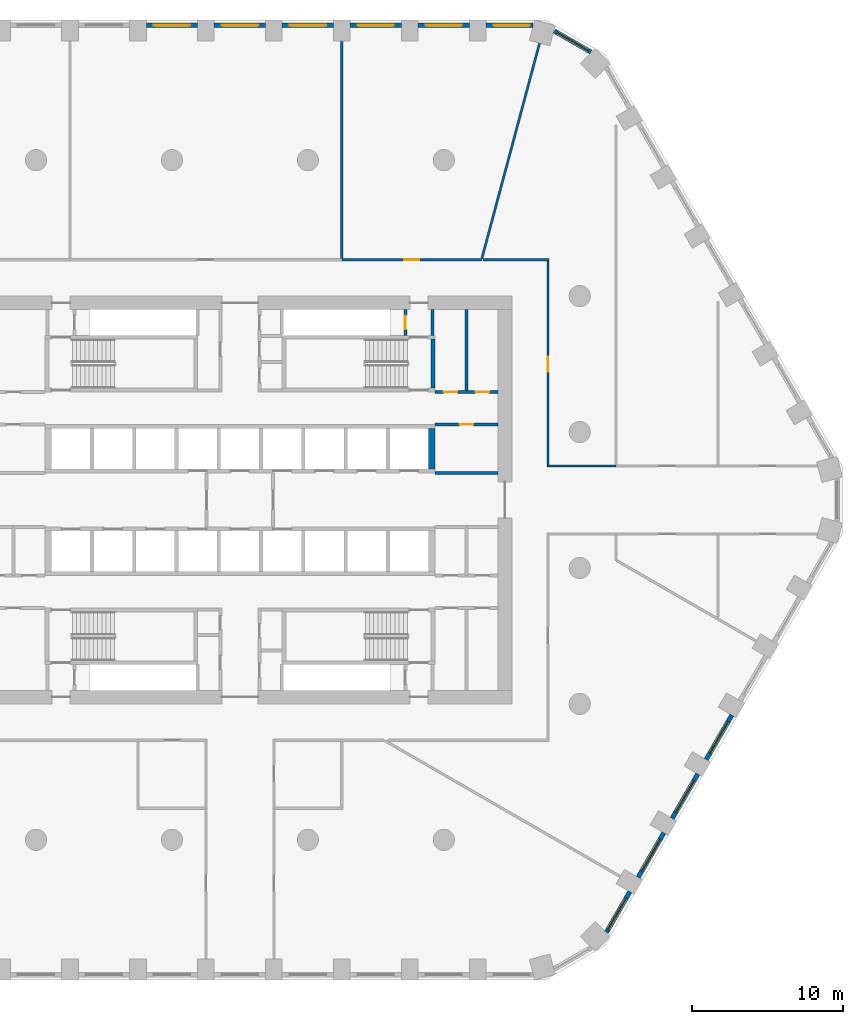
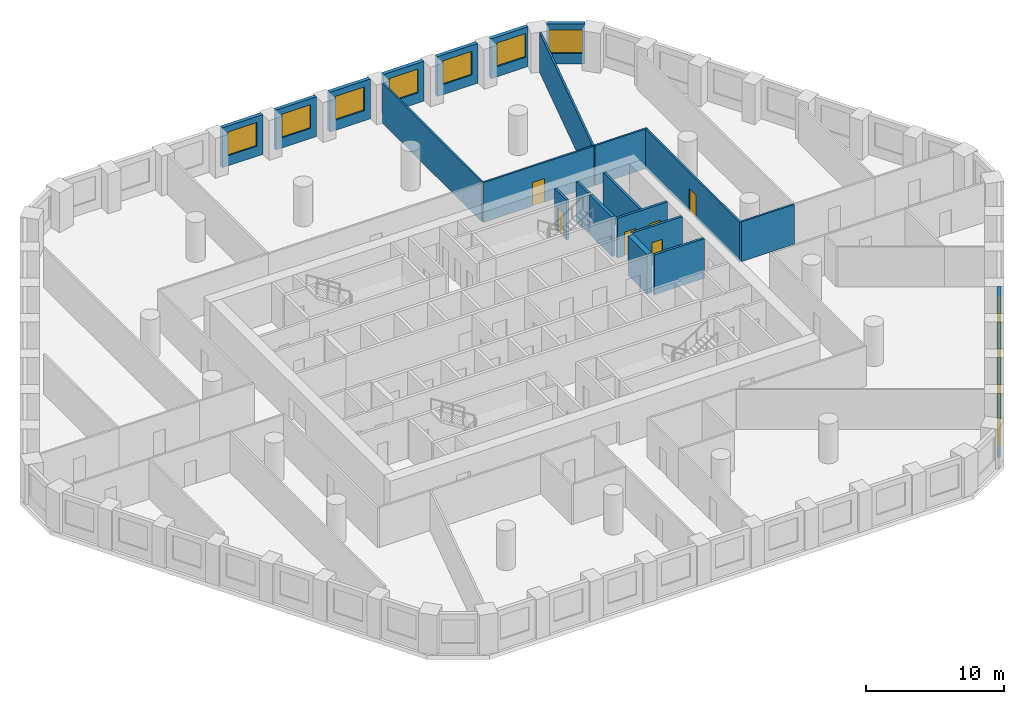
# One storey, part 7 of 10: 25 walls, 11 windows, 6 doors, 17 openings.
"""IFC4 building model written with IfcOpenShell, lengths in metres."""

from ifc_helpers import new_model, si_unit, direction, frame, frame_2d, origin, place, context, subcontext, project, spatial, polyline, rectangle, outline, extrude, material, layer, layer_set, type_object, element, fill, save


model = new_model("IFC4")

# Units and contexts
model_context = context("Model", 3, precision=1e-05, world=origin(), true_north=direction((0.0, 1.0)))
body_context = subcontext(model_context, "Body", "Model", "MODEL_VIEW")
ifc_project = project(units=[si_unit("LENGTHUNIT", "METRE"), si_unit("AREAUNIT", "SQUARE_METRE"), si_unit("VOLUMEUNIT", "CUBIC_METRE"), si_unit("PLANEANGLEUNIT", "RADIAN"), si_unit("MASSUNIT", "GRAM", prefix="KILO")], contexts=[model_context])

# Site, building, storey
site_placement = place(None, origin())
site = spatial("IfcSite", under=ifc_project, at=site_placement, CompositionType="ELEMENT")
building_placement = place(site_placement, origin())
building = spatial("IfcBuilding", under=site, at=building_placement, Name="Dhurran Vertical Campus", CompositionType="ELEMENT")
storey_placement = place(building_placement, frame((0.0, 0.0, 65.10009765625)))
storey = spatial("IfcBuildingStorey", under=building, at=storey_placement, Name="L15", CompositionType="ELEMENT", Elevation=65.10009765625)

# Wall, opening, window
ifc_material_1 = material(Name="Precast concrete C50/60", Category="concrete")
ifc_layer_1 = layer(ifc_material_1, 0.300048828125)
ifc_layer_set_1 = layer_set([ifc_layer_1], Name="Precast concrete C50/60")
wall_type_1 = type_object("IfcWallType", Name="Precast spandrel wall 300", PredefinedType="SOLIDWALL", material=ifc_layer_set_1)
wall_1_placement = place(storey_placement, frame((24.2734375, -28.611083984375, 0.0), z_axis=(0.0, 0.0, 1.0), x_axis=(0.499995950774, 0.866027741594, 0.0)))
wall_1 = element("IfcWall", 1, at=wall_1_placement, inside=storey, type_object=wall_type_1, Name="EW1 L15.10", PredefinedType="SOLIDWALL", context=body_context, shape_type="SweptSolid", body=[
    extrude(rectangle(XDim=3.0908203125, YDim=0.300048828125, at=frame_2d((1.54541015625, 0.0))), origin(), (0.0, 0.0, 1.0), 3.52490234375),
])
opening_1_placement = place(wall_1_placement, frame((0.191162109375, 0.0, 0.89990234375)))
opening_1 = element("IfcOpeningElement", 2, at=opening_1_placement, cuts=wall_1, Name="Opening WT1", PredefinedType="OPENING", context=body_context, shape_type="SweptSolid", body=[
    extrude(rectangle(XDim=2.39990234375, YDim=2.10009765625, at=frame_2d((1.199951171875, 1.050048828125))), frame((0.0, 0.159912109375, 0.0), z_axis=(0.0, -1.0, 0.0), x_axis=(1.0, 0.0, 0.0)), (0.0, 0.0, 1.0), 0.320068359375),
])
ifc_material_2 = material(Name="Aluminium frame with solar-control glass", Category="aluminium")
window_type = type_object("IfcWindowType", Name="Punched window 2400 x 2100", PartitioningType="SINGLE_PANEL", PredefinedType="WINDOW", material=ifc_material_2)
window_1_placement = place(opening_1_placement, origin())
window_1 = element("IfcWindow", 3, at=window_1_placement, inside=storey, type_object=window_type, Name="WT1 L15.10", OverallHeight=2.10009765625, OverallWidth=2.39990234375, PartitioningType="SINGLE_PANEL", PredefinedType="WINDOW", context=body_context, shape_type="SweptSolid", body=[
    extrude(rectangle(XDim=2.39990234375, YDim=2.10009765625, at=frame_2d((1.199951171875, 1.050048828125))), frame((0.0, 0.030029296875, 0.0), z_axis=(0.0, -1.0, 0.0), x_axis=(1.0, 0.0, 0.0)), (0.0, 0.0, 1.0), 0.06005859375),
])
fill(opening_1, window_1)

wall_2_placement = place(storey_placement, frame((26.369384765625, -24.98095703125, 0.0), z_axis=(0.0, 0.0, 1.0), x_axis=(0.499993955907, 0.866028893315, 0.0)))
wall_2 = element("IfcWall", 4, at=wall_2_placement, inside=storey, type_object=wall_type_1, Name="EW1 L15.11", PredefinedType="SOLIDWALL", context=body_context, shape_type="SweptSolid", body=[
    extrude(rectangle(XDim=3.39892578125, YDim=0.300048828125, at=frame_2d((1.699462890625, 0.0))), origin(), (0.0, 0.0, 1.0), 3.52490234375),
])
opening_2_placement = place(wall_2_placement, frame((0.49951171875, 0.0, 0.89990234375)))
opening_2 = element("IfcOpeningElement", 5, at=opening_2_placement, cuts=wall_2, Name="Opening WT1", PredefinedType="OPENING", context=body_context, shape_type="SweptSolid", body=[
    extrude(rectangle(XDim=2.39990234375, YDim=2.10009765625, at=frame_2d((1.199951171875, 1.050048828125))), frame((0.0, 0.159912109375, 0.0), z_axis=(0.0, -1.0, 0.0), x_axis=(1.0, 0.0, 0.0)), (0.0, 0.0, 1.0), 0.320068359375),
])
window_2_placement = place(opening_2_placement, origin())
window_2 = element("IfcWindow", 6, at=window_2_placement, inside=storey, type_object=window_type, Name="WT1 L15.11", OverallHeight=2.10009765625, OverallWidth=2.39990234375, PartitioningType="SINGLE_PANEL", PredefinedType="WINDOW", context=body_context, shape_type="SweptSolid", body=[
    extrude(rectangle(XDim=2.39990234375, YDim=2.10009765625, at=frame_2d((1.199951171875, 1.050048828125))), frame((0.0, 0.030029296875, 0.0), z_axis=(0.0, -1.0, 0.0), x_axis=(1.0, 0.0, 0.0)), (0.0, 0.0, 1.0), 0.06005859375),
])
fill(opening_2, window_2)

wall_3_placement = place(storey_placement, frame((28.619384765625, -21.083740234375, 0.0), z_axis=(0.0, 0.0, 1.0), x_axis=(0.499993955907, 0.866028893315, 0.0)))
wall_3 = element("IfcWall", 7, at=wall_3_placement, inside=storey, type_object=wall_type_1, Name="EW1 L15.12", PredefinedType="SOLIDWALL", context=body_context, shape_type="SweptSolid", body=[
    extrude(rectangle(XDim=3.39892578125, YDim=0.300048828125, at=frame_2d((1.699462890625, 0.0))), origin(), (0.0, 0.0, 1.0), 3.52490234375),
])
opening_3_placement = place(wall_3_placement, frame((0.49951171875, 0.0, 0.89990234375)))
opening_3 = element("IfcOpeningElement", 8, at=opening_3_placement, cuts=wall_3, Name="Opening WT1", PredefinedType="OPENING", context=body_context, shape_type="SweptSolid", body=[
    extrude(rectangle(XDim=2.39990234375, YDim=2.10009765625, at=frame_2d((1.199951171875, 1.050048828125))), frame((0.0, 0.159912109375, 0.0), z_axis=(0.0, -1.0, 0.0), x_axis=(1.0, 0.0, 0.0)), (0.0, 0.0, 1.0), 0.320068359375),
])
window_3_placement = place(opening_3_placement, origin())
window_3 = element("IfcWindow", 9, at=window_3_placement, inside=storey, type_object=window_type, Name="WT1 L15.12", OverallHeight=2.10009765625, OverallWidth=2.39990234375, PartitioningType="SINGLE_PANEL", PredefinedType="WINDOW", context=body_context, shape_type="SweptSolid", body=[
    extrude(rectangle(XDim=2.39990234375, YDim=2.10009765625, at=frame_2d((1.199951171875, 1.050048828125))), frame((0.0, 0.030029296875, 0.0), z_axis=(0.0, -1.0, 0.0), x_axis=(1.0, 0.0, 0.0)), (0.0, 0.0, 1.0), 0.06005859375),
])
fill(opening_3, window_3)

wall_4_placement = place(storey_placement, frame((30.869384765625, -17.186767578125, 0.0), z_axis=(0.0, 0.0, 1.0), x_axis=(0.499993955907, 0.866028893315, 0.0)))
wall_4 = element("IfcWall", 10, at=wall_4_placement, inside=storey, type_object=wall_type_1, Name="EW1 L15.13", PredefinedType="SOLIDWALL", context=body_context, shape_type="SweptSolid", body=[
    extrude(rectangle(XDim=3.39892578125, YDim=0.300048828125, at=frame_2d((1.699462890625, 0.0))), origin(), (0.0, 0.0, 1.0), 3.52490234375),
])
opening_4_placement = place(wall_4_placement, frame((0.49951171875, 0.0, 0.89990234375)))
opening_4 = element("IfcOpeningElement", 11, at=opening_4_placement, cuts=wall_4, Name="Opening WT1", PredefinedType="OPENING", context=body_context, shape_type="SweptSolid", body=[
    extrude(rectangle(XDim=2.39990234375, YDim=2.10009765625, at=frame_2d((1.199951171875, 1.050048828125))), frame((0.0, 0.159912109375, 0.0), z_axis=(0.0, -1.0, 0.0), x_axis=(1.0, 0.0, 0.0)), (0.0, 0.0, 1.0), 0.320068359375),
])
window_4_placement = place(opening_4_placement, origin())
window_4 = element("IfcWindow", 12, at=window_4_placement, inside=storey, type_object=window_type, Name="WT1 L15.13", OverallHeight=2.10009765625, OverallWidth=2.39990234375, PartitioningType="SINGLE_PANEL", PredefinedType="WINDOW", context=body_context, shape_type="SweptSolid", body=[
    extrude(rectangle(XDim=2.39990234375, YDim=2.10009765625, at=frame_2d((1.199951171875, 1.050048828125))), frame((0.0, 0.030029296875, 0.0), z_axis=(0.0, -1.0, 0.0), x_axis=(1.0, 0.0, 0.0)), (0.0, 0.0, 1.0), 0.06005859375),
])
fill(opening_4, window_4)

wall_5_placement = place(storey_placement, frame((23.228271484375, 29.656005859375, 0.0), z_axis=(0.0, 0.0, 1.0), x_axis=(-0.866020456713, 0.500008568482, 0.0)))
wall_5 = element("IfcWall", 13, at=wall_5_placement, inside=storey, type_object=wall_type_1, Name="EW1 L15.25", PredefinedType="SOLIDWALL", context=body_context, shape_type="SweptSolid", body=[
    extrude(rectangle(XDim=2.7822265625, YDim=0.300048828125, at=frame_2d((1.39111328125, 0.0))), origin(), (0.0, 0.0, 1.0), 3.52490234375),
])
opening_5_placement = place(wall_5_placement, frame((0.191162109375, 0.0, 0.89990234375)))
opening_5 = element("IfcOpeningElement", 14, at=opening_5_placement, cuts=wall_5, Name="Opening WT1", PredefinedType="OPENING", context=body_context, shape_type="SweptSolid", body=[
    extrude(rectangle(XDim=2.39990234375, YDim=2.10009765625, at=frame_2d((1.199951171875, 1.050048828125))), frame((0.0, 0.159912109375, 0.0), z_axis=(0.0, -1.0, 0.0), x_axis=(1.0, 0.0, 0.0)), (0.0, 0.0, 1.0), 0.320068359375),
])
window_5_placement = place(opening_5_placement, origin())
window_5 = element("IfcWindow", 15, at=window_5_placement, inside=storey, type_object=window_type, Name="WT1 L15.25", OverallHeight=2.10009765625, OverallWidth=2.39990234375, PartitioningType="SINGLE_PANEL", PredefinedType="WINDOW", context=body_context, shape_type="SweptSolid", body=[
    extrude(rectangle(XDim=2.39990234375, YDim=2.10009765625, at=frame_2d((1.199951171875, 1.050048828125))), frame((0.0, 0.030029296875, 0.0), z_axis=(0.0, -1.0, 0.0), x_axis=(1.0, 0.0, 0.0)), (0.0, 0.0, 1.0), 0.06005859375),
])
fill(opening_5, window_5)

wall_6_placement = place(storey_placement, frame((19.39111328125, 31.4296875, 0.0), z_axis=(0.0, 0.0, 1.0), x_axis=(-1.0, 0.0, 0.0)))
wall_6 = element("IfcWall", 16, at=wall_6_placement, inside=storey, type_object=wall_type_1, Name="EW1 L15.26", PredefinedType="SOLIDWALL", context=body_context, shape_type="SweptSolid", body=[
    extrude(rectangle(XDim=3.090576171875, YDim=0.300048828125, at=frame_2d((1.54541015625, 0.0))), origin(), (0.0, 0.0, 1.0), 3.52490234375),
])
opening_6_placement = place(wall_6_placement, frame((0.191162109375, 0.0, 0.89990234375)))
opening_6 = element("IfcOpeningElement", 17, at=opening_6_placement, cuts=wall_6, Name="Opening WT1", PredefinedType="OPENING", context=body_context, shape_type="SweptSolid", body=[
    extrude(rectangle(XDim=2.39990234375, YDim=2.10009765625, at=frame_2d((1.199951171875, 1.050048828125))), frame((0.0, 0.159912109375, 0.0), z_axis=(0.0, -1.0, 0.0), x_axis=(1.0, 0.0, 0.0)), (0.0, 0.0, 1.0), 0.320068359375),
])
window_6_placement = place(opening_6_placement, origin())
window_6 = element("IfcWindow", 18, at=window_6_placement, inside=storey, type_object=window_type, Name="WT1 L15.26", OverallHeight=2.10009765625, OverallWidth=2.39990234375, PartitioningType="SINGLE_PANEL", PredefinedType="WINDOW", context=body_context, shape_type="SweptSolid", body=[
    extrude(rectangle(XDim=2.39990234375, YDim=2.10009765625, at=frame_2d((1.199951171875, 1.050048828125))), frame((0.0, 0.030029296875, 0.0), z_axis=(0.0, -1.0, 0.0), x_axis=(1.0, 0.0, 0.0)), (0.0, 0.0, 1.0), 0.06005859375),
])
fill(opening_6, window_6)

wall_7_placement = place(storey_placement, frame((15.199462890625, 31.4296875, 0.0), z_axis=(0.0, 0.0, 1.0), x_axis=(-1.0, 0.0, 0.0)))
wall_7 = element("IfcWall", 19, at=wall_7_placement, inside=storey, type_object=wall_type_1, Name="EW1 L15.27", PredefinedType="SOLIDWALL", context=body_context, shape_type="SweptSolid", body=[
    extrude(rectangle(XDim=3.39892578125, YDim=0.300048828125, at=frame_2d((1.699462890625, 0.0))), origin(), (0.0, 0.0, 1.0), 3.52490234375),
])
opening_7_placement = place(wall_7_placement, frame((0.49951171875, 0.0, 0.89990234375)))
opening_7 = element("IfcOpeningElement", 20, at=opening_7_placement, cuts=wall_7, Name="Opening WT1", PredefinedType="OPENING", context=body_context, shape_type="SweptSolid", body=[
    extrude(rectangle(XDim=2.39990234375, YDim=2.10009765625, at=frame_2d((1.199951171875, 1.050048828125))), frame((0.0, 0.159912109375, 0.0), z_axis=(0.0, -1.0, 0.0), x_axis=(1.0, 0.0, 0.0)), (0.0, 0.0, 1.0), 0.320068359375),
])
window_7_placement = place(opening_7_placement, origin())
window_7 = element("IfcWindow", 21, at=window_7_placement, inside=storey, type_object=window_type, Name="WT1 L15.27", OverallHeight=2.10009765625, OverallWidth=2.39990234375, PartitioningType="SINGLE_PANEL", PredefinedType="WINDOW", context=body_context, shape_type="SweptSolid", body=[
    extrude(rectangle(XDim=2.39990234375, YDim=2.10009765625, at=frame_2d((1.199951171875, 1.050048828125))), frame((0.0, 0.030029296875, 0.0), z_axis=(0.0, -1.0, 0.0), x_axis=(1.0, 0.0, 0.0)), (0.0, 0.0, 1.0), 0.06005859375),
])
fill(opening_7, window_7)

wall_8_placement = place(storey_placement, frame((10.699462890625, 31.4296875, 0.0), z_axis=(0.0, 0.0, 1.0), x_axis=(-1.0, 0.0, 0.0)))
wall_8 = element("IfcWall", 22, at=wall_8_placement, inside=storey, type_object=wall_type_1, Name="EW1 L15.28", PredefinedType="SOLIDWALL", context=body_context, shape_type="SweptSolid", body=[
    extrude(rectangle(XDim=3.39892578125, YDim=0.300048828125, at=frame_2d((1.699462890625, 0.0))), origin(), (0.0, 0.0, 1.0), 3.52490234375),
])
opening_8_placement = place(wall_8_placement, frame((0.49951171875, 0.0, 0.89990234375)))
opening_8 = element("IfcOpeningElement", 23, at=opening_8_placement, cuts=wall_8, Name="Opening WT1", PredefinedType="OPENING", context=body_context, shape_type="SweptSolid", body=[
    extrude(rectangle(XDim=2.39990234375, YDim=2.10009765625, at=frame_2d((1.199951171875, 1.050048828125))), frame((0.0, 0.159912109375, 0.0), z_axis=(0.0, -1.0, 0.0), x_axis=(1.0, 0.0, 0.0)), (0.0, 0.0, 1.0), 0.320068359375),
])
window_8_placement = place(opening_8_placement, origin())
window_8 = element("IfcWindow", 24, at=window_8_placement, inside=storey, type_object=window_type, Name="WT1 L15.28", OverallHeight=2.10009765625, OverallWidth=2.39990234375, PartitioningType="SINGLE_PANEL", PredefinedType="WINDOW", context=body_context, shape_type="SweptSolid", body=[
    extrude(rectangle(XDim=2.39990234375, YDim=2.10009765625, at=frame_2d((1.199951171875, 1.050048828125))), frame((0.0, 0.030029296875, 0.0), z_axis=(0.0, -1.0, 0.0), x_axis=(1.0, 0.0, 0.0)), (0.0, 0.0, 1.0), 0.06005859375),
])
fill(opening_8, window_8)

wall_9_placement = place(storey_placement, frame((6.199462890625, 31.4296875, 0.0), z_axis=(0.0, 0.0, 1.0), x_axis=(-1.0, 0.0, 0.0)))
wall_9 = element("IfcWall", 25, at=wall_9_placement, inside=storey, type_object=wall_type_1, Name="EW1 L15.29", PredefinedType="SOLIDWALL", context=body_context, shape_type="SweptSolid", body=[
    extrude(rectangle(XDim=3.39892578125, YDim=0.300048828125, at=frame_2d((1.699462890625, 0.0))), origin(), (0.0, 0.0, 1.0), 3.52490234375),
])
opening_9_placement = place(wall_9_placement, frame((0.49951171875, 0.0, 0.89990234375)))
opening_9 = element("IfcOpeningElement", 26, at=opening_9_placement, cuts=wall_9, Name="Opening WT1", PredefinedType="OPENING", context=body_context, shape_type="SweptSolid", body=[
    extrude(rectangle(XDim=2.39990234375, YDim=2.10009765625, at=frame_2d((1.199951171875, 1.050048828125))), frame((0.0, 0.159912109375, 0.0), z_axis=(0.0, -1.0, 0.0), x_axis=(1.0, 0.0, 0.0)), (0.0, 0.0, 1.0), 0.320068359375),
])
window_9_placement = place(opening_9_placement, origin())
window_9 = element("IfcWindow", 27, at=window_9_placement, inside=storey, type_object=window_type, Name="WT1 L15.29", OverallHeight=2.10009765625, OverallWidth=2.39990234375, PartitioningType="SINGLE_PANEL", PredefinedType="WINDOW", context=body_context, shape_type="SweptSolid", body=[
    extrude(rectangle(XDim=2.39990234375, YDim=2.10009765625, at=frame_2d((1.199951171875, 1.050048828125))), frame((0.0, 0.030029296875, 0.0), z_axis=(0.0, -1.0, 0.0), x_axis=(1.0, 0.0, 0.0)), (0.0, 0.0, 1.0), 0.06005859375),
])
fill(opening_9, window_9)

wall_10_placement = place(storey_placement, frame((1.699462890625, 31.4296875, 0.0), z_axis=(0.0, 0.0, 1.0), x_axis=(-1.0, 0.0, 0.0)))
wall_10 = element("IfcWall", 28, at=wall_10_placement, inside=storey, type_object=wall_type_1, Name="EW1 L15.30", PredefinedType="SOLIDWALL", context=body_context, shape_type="SweptSolid", body=[
    extrude(rectangle(XDim=3.39892578125, YDim=0.300048828125, at=frame_2d((1.699462890625, 0.0))), origin(), (0.0, 0.0, 1.0), 3.52490234375),
])
opening_10_placement = place(wall_10_placement, frame((0.49951171875, 0.0, 0.89990234375)))
opening_10 = element("IfcOpeningElement", 29, at=opening_10_placement, cuts=wall_10, Name="Opening WT1", PredefinedType="OPENING", context=body_context, shape_type="SweptSolid", body=[
    extrude(rectangle(XDim=2.39990234375, YDim=2.10009765625, at=frame_2d((1.199951171875, 1.050048828125))), frame((0.0, 0.159912109375, 0.0), z_axis=(0.0, -1.0, 0.0), x_axis=(1.0, 0.0, 0.0)), (0.0, 0.0, 1.0), 0.320068359375),
])
window_10_placement = place(opening_10_placement, origin())
window_10 = element("IfcWindow", 30, at=window_10_placement, inside=storey, type_object=window_type, Name="WT1 L15.30", OverallHeight=2.10009765625, OverallWidth=2.39990234375, PartitioningType="SINGLE_PANEL", PredefinedType="WINDOW", context=body_context, shape_type="SweptSolid", body=[
    extrude(rectangle(XDim=2.39990234375, YDim=2.10009765625, at=frame_2d((1.199951171875, 1.050048828125))), frame((0.0, 0.030029296875, 0.0), z_axis=(0.0, -1.0, 0.0), x_axis=(1.0, 0.0, 0.0)), (0.0, 0.0, 1.0), 0.06005859375),
])
fill(opening_10, window_10)

wall_11_placement = place(storey_placement, frame((-2.800537109375, 31.4296875, 0.0), z_axis=(0.0, 0.0, 1.0), x_axis=(-1.0, 0.0, 0.0)))
wall_11 = element("IfcWall", 31, at=wall_11_placement, inside=storey, type_object=wall_type_1, Name="EW1 L15.31", PredefinedType="SOLIDWALL", context=body_context, shape_type="SweptSolid", body=[
    extrude(rectangle(XDim=3.39892578125, YDim=0.300048828125, at=frame_2d((1.699462890625, 0.0))), origin(), (0.0, 0.0, 1.0), 3.52490234375),
])
opening_11_placement = place(wall_11_placement, frame((0.49951171875, 0.0, 0.89990234375)))
opening_11 = element("IfcOpeningElement", 32, at=opening_11_placement, cuts=wall_11, Name="Opening WT1", PredefinedType="OPENING", context=body_context, shape_type="SweptSolid", body=[
    extrude(rectangle(XDim=2.39990234375, YDim=2.10009765625, at=frame_2d((1.199951171875, 1.050048828125))), frame((0.0, 0.159912109375, 0.0), z_axis=(0.0, -1.0, 0.0), x_axis=(1.0, 0.0, 0.0)), (0.0, 0.0, 1.0), 0.320068359375),
])
window_11_placement = place(opening_11_placement, origin())
window_11 = element("IfcWindow", 33, at=window_11_placement, inside=storey, type_object=window_type, Name="WT1 L15.31", OverallHeight=2.10009765625, OverallWidth=2.39990234375, PartitioningType="SINGLE_PANEL", PredefinedType="WINDOW", context=body_context, shape_type="SweptSolid", body=[
    extrude(rectangle(XDim=2.39990234375, YDim=2.10009765625, at=frame_2d((1.199951171875, 1.050048828125))), frame((0.0, 0.030029296875, 0.0), z_axis=(0.0, -1.0, 0.0), x_axis=(1.0, 0.0, 0.0)), (0.0, 0.0, 1.0), 0.06005859375),
])
fill(opening_11, window_11)

# Wall
ifc_material_3 = material(Name="Fire-rated masonry blockwork", Category="masonry")
ifc_layer_2 = layer(ifc_material_3, 0.199951171875)
ifc_layer_set_2 = layer_set([ifc_layer_2], Name="Fire-rated masonry blockwork")
wall_type_2 = type_object("IfcWallType", Name="co-FIRE-PARTITION-200", PredefinedType="PARTITIONING", material=ifc_layer_set_2)
wall_12_placement = place(storey_placement, frame((12.75, 10.89990234375, 0.0), z_axis=(0.0, 0.0, 1.0), x_axis=(0.0, 1.0, 0.0)))
element("IfcWall", 34, at=wall_12_placement, inside=storey, type_object=wall_type_2, Name="Core partition pass-ST2-o L15", PredefinedType="PARTITIONING", context=body_context, shape_type="SweptSolid", body=[
    extrude(rectangle(XDim=1.7001953125, YDim=0.199951171875, at=frame_2d((0.85009765625, 0.0))), origin(), (0.0, 0.0, 1.0), 3.52490234375),
])

# Wall, opening, door
wall_13_placement = place(storey_placement, frame((10.949951171875, 10.89990234375, 0.0), z_axis=(0.0, 0.0, 1.0), x_axis=(0.0, 1.0, 0.0)))
wall_13 = element("IfcWall", 35, at=wall_13_placement, inside=storey, type_object=wall_type_2, Name="Core partition pass-ST2-i L15", PredefinedType="PARTITIONING", context=body_context, shape_type="SweptSolid", body=[
    extrude(rectangle(XDim=1.7001953125, YDim=0.199951171875, at=frame_2d((0.85009765625, 0.0))), origin(), (0.0, 0.0, 1.0), 3.52490234375),
])
opening_12_placement = place(wall_13_placement, frame((0.39990234375, 0.0, 0.0)))
opening_12 = element("IfcOpeningElement", 36, at=opening_12_placement, cuts=wall_13, Name="Opening T04-C10", PredefinedType="OPENING", context=body_context, shape_type="SweptSolid", body=[
    extrude(rectangle(XDim=0.89990234375, YDim=2.10009765625, at=frame_2d((0.449951171875, 1.050048828125))), frame((0.0, 0.10986328125, 0.0), z_axis=(0.0, -1.0, 0.0), x_axis=(1.0, 0.0, 0.0)), (0.0, 0.0, 1.0), 0.219970703125),
])
ifc_material_4 = material(Name="Fire-rated timber door set", Category="wood")
door_type_1 = type_object("IfcDoorType", Name="co-D-ROOM 900x2100", OperationType="SINGLE_SWING_LEFT", PredefinedType="DOOR", material=ifc_material_4)
door_1_placement = place(opening_12_placement, origin())
door_1 = element("IfcDoor", 37, at=door_1_placement, inside=storey, type_object=door_type_1, Name="Riser room door L15", OperationType="SINGLE_SWING_LEFT", OverallHeight=2.10009765625, OverallWidth=0.89990234375, PredefinedType="DOOR", context=body_context, shape_type="SweptSolid", body=[
    extrude(rectangle(XDim=0.89990234375, YDim=2.10009765625, at=frame_2d((0.449951171875, 1.050048828125))), frame((0.0, 0.02490234375, 0.0), z_axis=(0.0, -1.0, 0.0), x_axis=(1.0, 0.0, 0.0)), (0.0, 0.0, 1.0), 0.050048828125),
])
fill(opening_12, door_1)

# Wall
wall_14_placement = place(storey_placement, frame((15.0, 7.14990234375, 0.0), z_axis=(0.0, 0.0, 1.0), x_axis=(0.0, 1.0, 0.0)))
element("IfcWall", 38, at=wall_14_placement, inside=storey, type_object=wall_type_2, Name="Core partition en-NE-cut0 L15", PredefinedType="PARTITIONING", context=body_context, shape_type="SweptSolid", body=[
    extrude(rectangle(XDim=5.4501953125, YDim=0.199951171875, at=frame_2d((2.72509765625, 0.0))), origin(), (0.0, 0.0, 1.0), 3.52490234375),
])

# Wall, openings, doors
wall_15_placement = place(storey_placement, frame((12.89990234375, 7.14990234375, 0.0), z_axis=(0.0, 0.0, 1.0), x_axis=(1.0, 0.0, 0.0)))
wall_15 = element("IfcWall", 39, at=wall_15_placement, inside=storey, type_object=wall_type_2, Name="Core partition en-NE-w L15", PredefinedType="PARTITIONING", context=body_context, shape_type="SweptSolid", body=[
    extrude(rectangle(XDim=4.2001953125, YDim=0.199951171875, at=frame_2d((2.10009765625, 0.0))), origin(), (0.0, 0.0, 1.0), 3.52490234375),
])
opening_13_placement = place(wall_15_placement, frame((0.60009765625, 0.0, 0.0)))
opening_13 = element("IfcOpeningElement", 40, at=opening_13_placement, cuts=wall_15, Name="Opening T04-C15", PredefinedType="OPENING", context=body_context, shape_type="SweptSolid", body=[
    extrude(rectangle(XDim=0.89990234375, YDim=2.10009765625, at=frame_2d((0.449951171875, 1.050048828125))), frame((0.0, 0.10986328125, 0.0), z_axis=(0.0, -1.0, 0.0), x_axis=(1.0, 0.0, 0.0)), (0.0, 0.0, 1.0), 0.219970703125),
])
opening_14_placement = place(wall_15_placement, frame((2.699951171875, 0.0, 0.0)))
opening_14 = element("IfcOpeningElement", 41, at=opening_14_placement, cuts=wall_15, Name="Opening T04-C16", PredefinedType="OPENING", context=body_context, shape_type="SweptSolid", body=[
    extrude(rectangle(XDim=0.89990234375, YDim=2.10009765625, at=frame_2d((0.449951171875, 1.050048828125))), frame((0.0, 0.10986328125, 0.0), z_axis=(0.0, -1.0, 0.0), x_axis=(1.0, 0.0, 0.0)), (0.0, 0.0, 1.0), 0.219970703125),
])
door_2_placement = place(opening_13_placement, origin())
door_2 = element("IfcDoor", 42, at=door_2_placement, inside=storey, type_object=door_type_1, Name="Pantry door L15", OperationType="SINGLE_SWING_LEFT", OverallHeight=2.10009765625, OverallWidth=0.89990234375, PredefinedType="DOOR", context=body_context, shape_type="SweptSolid", body=[
    extrude(rectangle(XDim=0.89990234375, YDim=2.10009765625, at=frame_2d((0.449951171875, 1.050048828125))), frame((0.0, 0.02490234375, 0.0), z_axis=(0.0, -1.0, 0.0), x_axis=(1.0, 0.0, 0.0)), (0.0, 0.0, 1.0), 0.050048828125),
])
fill(opening_13, door_2)
door_3_placement = place(opening_14_placement, origin())
door_3 = element("IfcDoor", 43, at=door_3_placement, inside=storey, type_object=door_type_1, Name="Cleaner's store door L15", OperationType="SINGLE_SWING_LEFT", OverallHeight=2.10009765625, OverallWidth=0.89990234375, PredefinedType="DOOR", context=body_context, shape_type="SweptSolid", body=[
    extrude(rectangle(XDim=0.89990234375, YDim=2.10009765625, at=frame_2d((0.449951171875, 1.050048828125))), frame((0.0, 0.02490234375, 0.0), z_axis=(0.0, -1.0, 0.0), x_axis=(1.0, 0.0, 0.0)), (0.0, 0.0, 1.0), 0.050048828125),
])
fill(opening_14, door_3)

# Wall, opening, door
wall_16_placement = place(storey_placement, frame((12.89990234375, 5.0, 0.0), z_axis=(0.0, 0.0, 1.0), x_axis=(1.0, 0.0, 0.0)))
wall_16 = element("IfcWall", 44, at=wall_16_placement, inside=storey, type_object=wall_type_2, Name="Core partition es-NE-w L15", PredefinedType="PARTITIONING", context=body_context, shape_type="SweptSolid", body=[
    extrude(rectangle(XDim=4.2001953125, YDim=0.199951171875, at=frame_2d((2.10009765625, 0.0))), origin(), (0.0, 0.0, 1.0), 3.52490234375),
])
opening_15_placement = place(wall_16_placement, frame((1.64990234375, 0.0, 0.0)))
opening_15 = element("IfcOpeningElement", 45, at=opening_15_placement, cuts=wall_16, Name="Opening T04-C17", PredefinedType="OPENING", context=body_context, shape_type="SweptSolid", body=[
    extrude(rectangle(XDim=0.89990234375, YDim=2.10009765625, at=frame_2d((0.449951171875, 1.050048828125))), frame((0.0, 0.10986328125, 0.0), z_axis=(0.0, -1.0, 0.0), x_axis=(1.0, 0.0, 0.0)), (0.0, 0.0, 1.0), 0.219970703125),
])
door_4_placement = place(opening_15_placement, origin())
door_4 = element("IfcDoor", 46, at=door_4_placement, inside=storey, type_object=door_type_1, Name="Print room door L15", OperationType="SINGLE_SWING_LEFT", OverallHeight=2.10009765625, OverallWidth=0.89990234375, PredefinedType="DOOR", context=body_context, shape_type="SweptSolid", body=[
    extrude(rectangle(XDim=0.89990234375, YDim=2.10009765625, at=frame_2d((0.449951171875, 1.050048828125))), frame((0.0, 0.02490234375, 0.0), z_axis=(0.0, -1.0, 0.0), x_axis=(1.0, 0.0, 0.0)), (0.0, 0.0, 1.0), 0.050048828125),
])
fill(opening_15, door_4)

# Walls
wall_17_placement = place(storey_placement, frame((12.89990234375, 1.800048828125, 0.0), z_axis=(0.0, 0.0, 1.0), x_axis=(1.0, 0.0, 0.0)))
element("IfcWall", 47, at=wall_17_placement, inside=storey, type_object=wall_type_2, Name="Core partition es-NE-l L15", PredefinedType="PARTITIONING", context=body_context, shape_type="SweptSolid", body=[
    extrude(rectangle(XDim=4.2001953125, YDim=0.199951171875, at=frame_2d((2.10009765625, 0.0))), origin(), (0.0, 0.0, 1.0), 3.52490234375),
])
ifc_material_5 = material(Name="Concrete C50/60", Category="concrete")
ifc_layer_3 = layer(ifc_material_5, 0.25)
ifc_layer_set_3 = layer_set([ifc_layer_3], Name="Concrete C50/60")
wall_type_3 = type_object("IfcWallType", Name="co-SHAFT-MASS-250", PredefinedType="SHEAR", material=ifc_layer_set_3)
wall_18_placement = place(storey_placement, origin())
element("IfcWall", 48, at=wall_18_placement, inside=storey, type_object=wall_type_3, Name="Lift shaft wall N L15 11", PredefinedType="SHEAR", context=body_context, shape_type="SweptSolid", body=[
    extrude(outline(polyline([(12.47509765625, 2.050048828125), (12.89990234375, 2.050048828125), (12.89990234375, 4.75), (12.47509765625, 4.75), (12.47509765625, 2.050048828125)])), origin(), (0.0, 0.0, 1.0), 3.52490234375),
])
ifc_material_6 = material(Name="Concrete C40/50", Category="concrete")
ifc_layer_4 = layer(ifc_material_6, 0.25)
ifc_layer_set_4 = layer_set([ifc_layer_4], Name="Concrete C40/50")
wall_type_4 = type_object("IfcWallType", Name="co-STAIR-WALL-250", PredefinedType="SHEAR", material=ifc_layer_set_4)
wall_19_placement = place(storey_placement, frame((12.77490234375, 7.39990234375, 0.0), z_axis=(0.0, 0.0, 1.0), x_axis=(0.0, 1.0, 0.0)))
element("IfcWall", 49, at=wall_19_placement, inside=storey, type_object=wall_type_4, Name="Stair ST2 enclosure wall L15", PredefinedType="SHEAR", context=body_context, shape_type="SweptSolid", body=[
    extrude(rectangle(XDim=3.25, YDim=0.25, at=frame_2d((1.625, 0.0))), origin(), (0.0, 0.0, 1.0), 3.52490234375),
])

# Wall, opening, door
ifc_material_7 = material(Name="Gypsum board corridor wall on steel studs", Category="steel")
ifc_layer_5 = layer(ifc_material_7, 0.14990234375)
ifc_layer_set_5 = layer_set([ifc_layer_5], Name="Gypsum board corridor wall on steel studs")
wall_type_5 = type_object("IfcWallType", Name="fl-CW-150 corridor wall", PredefinedType="PARTITIONING", material=ifc_layer_set_5)
wall_20_placement = place(storey_placement, frame((15.9951171875, 15.89990234375, 0.0), z_axis=(0.0, 0.0, 1.0), x_axis=(-1.0, 0.0, 0.0)))
wall_20 = element("IfcWall", 50, at=wall_20_placement, inside=storey, type_object=wall_type_5, Name="Partition 15-31", PredefinedType="PARTITIONING", context=body_context, shape_type="SweptSolid", body=[
    extrude(rectangle(XDim=9.2451171875, YDim=0.14990234375, at=frame_2d((4.62255859375, 0.0))), origin(), (0.0, 0.0, 1.0), 3.52490234375),
])
opening_16_placement = place(wall_20_placement, frame((4.12255859375, 0.0, 0.0)))
opening_16 = element("IfcOpeningElement", 51, at=opening_16_placement, cuts=wall_20, Name="Opening T04.12", PredefinedType="OPENING", context=body_context, shape_type="SweptSolid", body=[
    extrude(rectangle(XDim=1.0, YDim=2.10009765625, at=frame_2d((0.5, 1.050048828125))), frame((0.0, 0.0849609375, 0.0), z_axis=(0.0, -1.0, 0.0), x_axis=(1.0, 0.0, 0.0)), (0.0, 0.0, 1.0), 0.169921875),
])
ifc_material_8 = material(Name="Solid-core timber door set, fire-rated", Category="wood")
door_type_2 = type_object("IfcDoorType", Name="fl-D-1000x2100", OperationType="SINGLE_SWING_LEFT", PredefinedType="DOOR", material=ifc_material_8)
door_5_placement = place(opening_16_placement, origin())
door_5 = element("IfcDoor", 52, at=door_5_placement, inside=storey, type_object=door_type_2, Name="Door 15.12", OperationType="SINGLE_SWING_RIGHT", OverallHeight=2.10009765625, OverallWidth=1.0, PredefinedType="DOOR", context=body_context, shape_type="SweptSolid", body=[
    extrude(rectangle(XDim=1.0, YDim=2.10009765625, at=frame_2d((0.5, 1.050048828125))), frame((0.0, 0.02490234375, 0.0), z_axis=(0.0, -1.0, 0.0), x_axis=(1.0, 0.0, 0.0)), (0.0, 0.0, 1.0), 0.050048828125),
])
fill(opening_16, door_5)

# Wall
wall_21_placement = place(storey_placement, frame((20.47509765625, 15.89990234375, 0.0), z_axis=(0.0, 0.0, 1.0), x_axis=(-1.0, 0.0, 0.0)))
element("IfcWall", 53, at=wall_21_placement, inside=storey, type_object=wall_type_5, Name="Partition 15-35", PredefinedType="PARTITIONING", context=body_context, shape_type="SweptSolid", body=[
    extrude(rectangle(XDim=4.385009765625, YDim=0.14990234375, at=frame_2d((2.1923828125, 0.0))), origin(), (0.0, 0.0, 1.0), 3.52490234375),
])

# Wall, opening, door
wall_22_placement = place(storey_placement, frame((20.39990234375, 2.175048828125, 0.0), z_axis=(0.0, 0.0, 1.0), x_axis=(0.0, 1.0, 0.0)))
wall_22 = element("IfcWall", 54, at=wall_22_placement, inside=storey, type_object=wall_type_5, Name="Partition 15-38", PredefinedType="PARTITIONING", context=body_context, shape_type="SweptSolid", body=[
    extrude(rectangle(XDim=13.64990234375, YDim=0.14990234375, at=frame_2d((6.824951171875, 0.0))), origin(), (0.0, 0.0, 1.0), 3.52490234375),
])
opening_17_placement = place(wall_22_placement, frame((6.324951171875, 0.0, 0.0)))
opening_17 = element("IfcOpeningElement", 55, at=opening_17_placement, cuts=wall_22, Name="Opening T04.13", PredefinedType="OPENING", context=body_context, shape_type="SweptSolid", body=[
    extrude(rectangle(XDim=1.0, YDim=2.10009765625, at=frame_2d((0.5, 1.050048828125))), frame((0.0, 0.0849609375, 0.0), z_axis=(0.0, -1.0, 0.0), x_axis=(1.0, 0.0, 0.0)), (0.0, 0.0, 1.0), 0.169921875),
])
door_6_placement = place(opening_17_placement, origin())
door_6 = element("IfcDoor", 56, at=door_6_placement, inside=storey, type_object=door_type_2, Name="Door 15.13", OperationType="SINGLE_SWING_LEFT", OverallHeight=2.10009765625, OverallWidth=1.0, PredefinedType="DOOR", context=body_context, shape_type="SweptSolid", body=[
    extrude(rectangle(XDim=1.0, YDim=2.10009765625, at=frame_2d((0.5, 1.050048828125))), frame((0.0, 0.02490234375, 0.0), z_axis=(0.0, -1.0, 0.0), x_axis=(1.0, 0.0, 0.0)), (0.0, 0.0, 1.0), 0.050048828125),
])
fill(opening_17, door_6)

# Walls
wall_23_placement = place(storey_placement, frame((20.47509765625, 2.25, 0.0), z_axis=(0.0, 0.0, 1.0), x_axis=(1.0, 0.0, 0.0)))
element("IfcWall", 57, at=wall_23_placement, inside=storey, type_object=wall_type_5, Name="Partition 15-39", PredefinedType="PARTITIONING", context=body_context, shape_type="SweptSolid", body=[
    extrude(rectangle(XDim=4.4248046875, YDim=0.14990234375, at=frame_2d((2.21240234375, 0.0))), origin(), (0.0, 0.0, 1.0), 3.52490234375),
])
ifc_material_9 = material(Name="Gypsum board partition on steel studs", Category="steel")
ifc_layer_6 = layer(ifc_material_9, 0.14990234375)
ifc_layer_set_6 = layer_set([ifc_layer_6], Name="Gypsum board partition on steel studs")
wall_type_6 = type_object("IfcWallType", Name="fl-PW-150 fixed partition", PredefinedType="PARTITIONING", material=ifc_layer_set_6)
wall_24_placement = place(storey_placement, frame((6.75, 30.35986328125, 0.0), z_axis=(0.0, 0.0, 1.0), x_axis=(0.0, -1.0, 0.0)))
element("IfcWall", 58, at=wall_24_placement, inside=storey, type_object=wall_type_6, Name="Partition 15-30", PredefinedType="PARTITIONING", context=body_context, shape_type="SweptSolid", body=[
    extrude(rectangle(XDim=14.384765625, YDim=0.14990234375, at=frame_2d((7.1923828125, 0.0))), origin(), (0.0, 0.0, 1.0), 3.52490234375),
])
wall_25_placement = place(storey_placement, frame((19.834228515625, 30.22705078125, 0.0), z_axis=(0.0, 0.0, 1.0), x_axis=(-0.258838346818, -0.965920654203, 0.0)))
element("IfcWall", 59, at=wall_25_placement, inside=storey, type_object=wall_type_6, Name="Partition 15-34", PredefinedType="PARTITIONING", context=body_context, shape_type="SweptSolid", body=[
    extrude(rectangle(XDim=14.757568359375, YDim=0.14990234375, at=frame_2d((7.37890625, 0.0))), origin(), (0.0, 0.0, 1.0), 3.52490234375),
])

save(model, "model.ifc")
